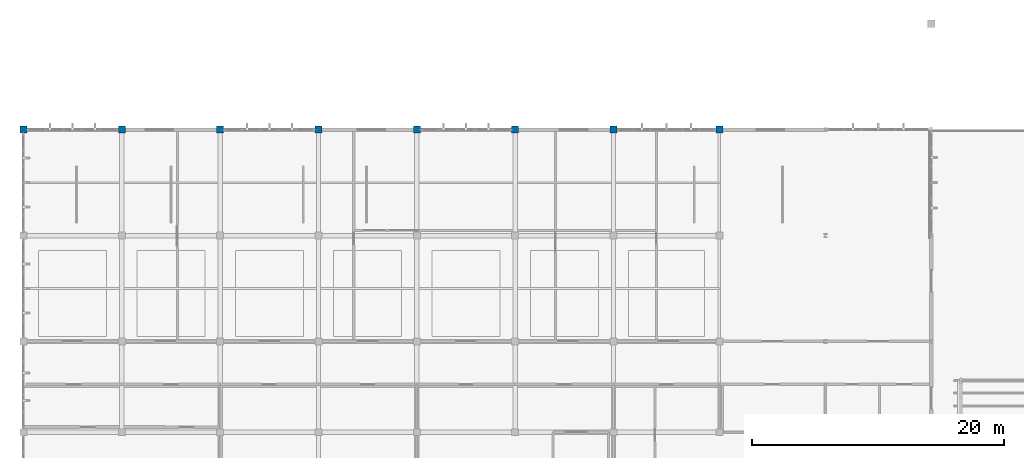
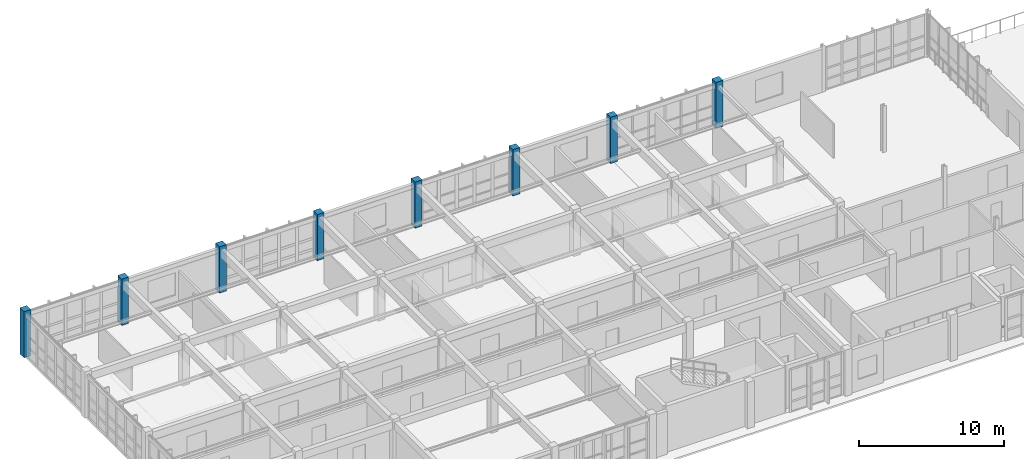
# One storey, part 3 of 35: 8 columns.
"""IFC4 building model written with IfcOpenShell, lengths in metres."""

from ifc_helpers import new_model, si_unit, direction, frame, origin, origin_2d, place, context, subcontext, project, spatial, rectangle, extrude, material, material_profile, profile_set, type_object, element, save


model = new_model("IFC4")

# Units and contexts
model_context = context("Model", 3, precision=1e-05, world=origin(), true_north=direction((0.0, 1.0)))
body_context = subcontext(model_context, "Body", "Model", "MODEL_VIEW")
ifc_project = project(units=[si_unit("LENGTHUNIT", "METRE"), si_unit("AREAUNIT", "SQUARE_METRE"), si_unit("VOLUMEUNIT", "CUBIC_METRE"), si_unit("PLANEANGLEUNIT", "RADIAN"), si_unit("MASSUNIT", "GRAM", prefix="KILO")], contexts=[model_context])

# Site, building, storey
site_placement = place(None, origin())
site = spatial("IfcSite", under=ifc_project, at=site_placement, CompositionType="ELEMENT")
building_placement = place(site_placement, origin())
building = spatial("IfcBuilding", under=site, at=building_placement, Name="Tizgana Railside Sports Hall", CompositionType="ELEMENT")
storey_placement = place(building_placement, frame((0.0, 0.0, 15.89990234375)))
storey = spatial("IfcBuildingStorey", under=building, at=storey_placement, Name="L03", CompositionType="ELEMENT", Elevation=15.89990234375)

# Columns
ifc_material = material(Name="Concrete C40/50", Category="concrete")
ifc_material_profile = material_profile(ifc_material, rectangle(XDim=0.550048828125, YDim=0.550048828125, at=origin_2d()), Name="RC 550x550")
ifc_profile_set = profile_set([ifc_material_profile], Name="Concrete C40/50")
column_type = type_object("IfcColumnType", Name="Concrete Column RC 550x550", PredefinedType="COLUMN", material=ifc_profile_set)
for number, where, z_axis, x_axis, name in (
    (1, (7.800048828125, 32.39990234375, 0.0), (0.0, 0.0, 1.0), (1.0, 0.0, 0.0), "L03 COL-0564"),
    (2, (15.60009765625, 32.39990234375, 0.0), (0.0, 0.0, 1.0), (1.0, 0.0, 0.0), "L03 COL-0597"),
    (3, (23.39990234375, 32.39990234375, 0.0), (0.0, 0.0, 1.0), (1.0, 0.0, 0.0), "L03 COL-0630"),
    (4, (31.199951171875, 32.39990234375, 0.0), (0.0, 0.0, 1.0), (1.0, 0.0, 0.0), "L03 COL-0660"),
    (5, (39.0, 32.39990234375, 0.0), (0.0, 0.0, 1.0), (1.0, 0.0, 0.0), "L03 COL-0690"),
    (6, (46.800048828125, 32.39990234375, 0.0), (0.0, 0.0, 1.0), (1.0, 0.0, 0.0), "L03 COL-0720"),
    (7, (54.60009765625, 32.39990234375, 0.0), (0.0, 0.0, 1.0), (1.0, 0.0, 0.0), "L03 COL-0747"),
    (8, (63.0, 32.39990234375, 0.0), (0.0, 0.0, 1.0), (1.0, 0.0, 0.0), "L03 COL-0774"),
):
    element("IfcColumn", number, at=place(storey_placement, frame(where, z_axis=z_axis, x_axis=x_axis)), inside=storey, type_object=column_type, Name=name, PredefinedType="COLUMN", context=body_context, shape_type="SweptSolid", body=[
        extrude(rectangle(XDim=0.550048828125, YDim=0.550048828125, at=origin_2d()), origin(), (0.0, 0.0, 1.0), 3.900146484375),
    ])

save(model, "model.ifc")
